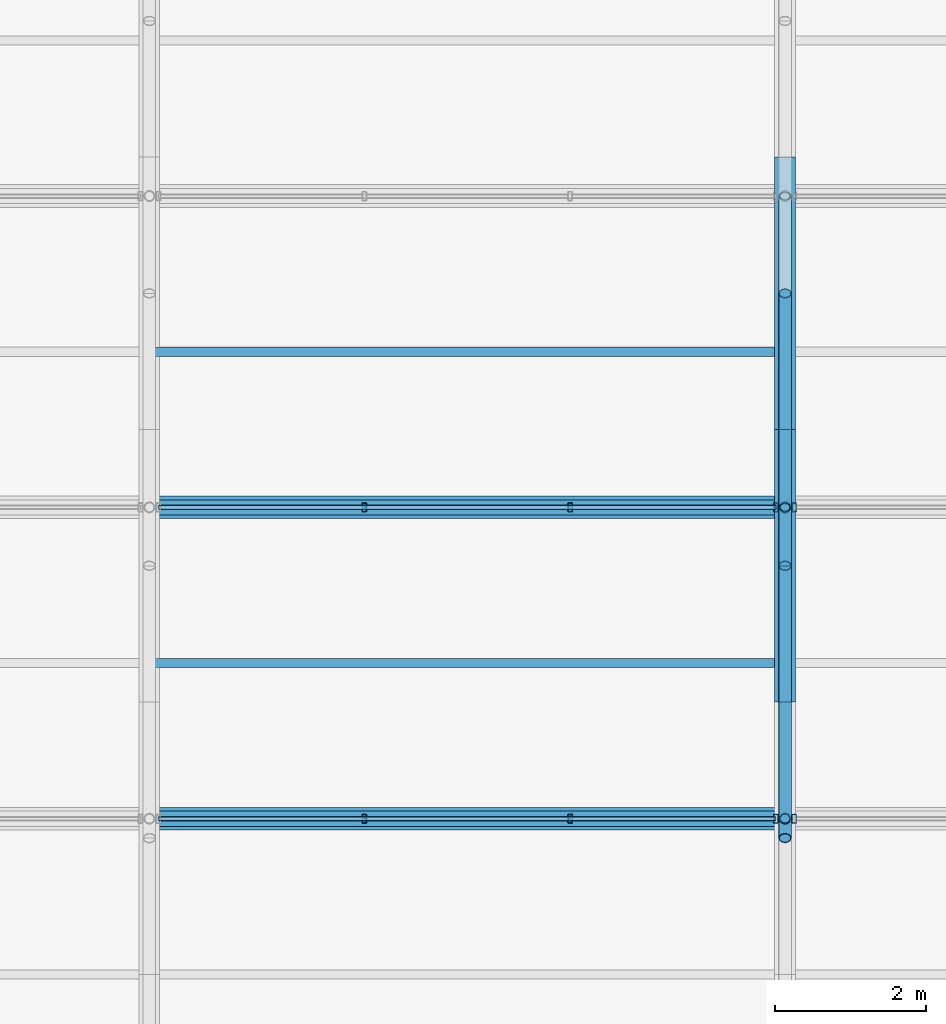
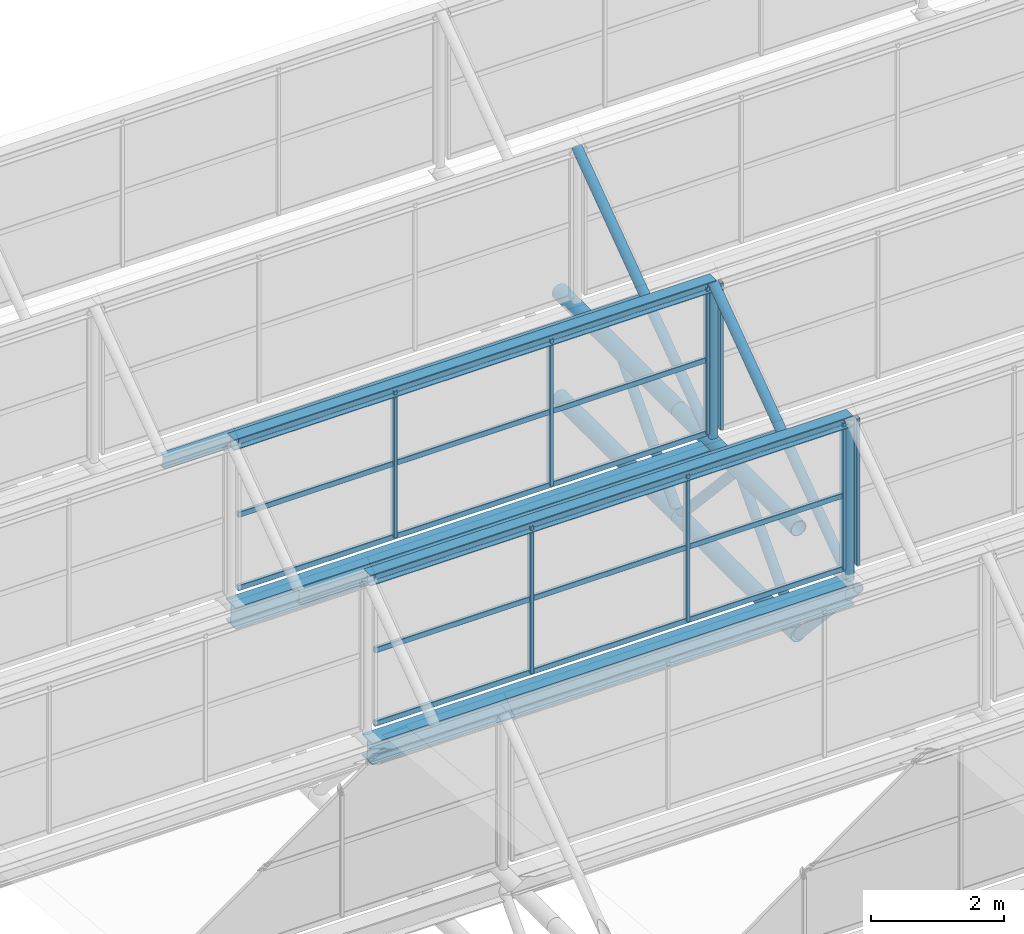
# One storey, part 65 of 134: 26 members, 6 beams, 4 elements without a shape of their own.
"""IFC4 building model written with IfcOpenShell, lengths in metres."""

from ifc_helpers import new_model, si_unit, derived_unit, direction, frame, origin, origin_2d, place, context, subcontext, project, spatial, hollow_rectangle, hollow_circle, i_section, extrude, material, material_profile, profile_set, type_object, element, aggregate, save


model = new_model("IFC4")

# Units and contexts
model_context = context("Model", 3, precision=1e-05, world=origin(), true_north=direction((0.0, 1.0)))
body_context = subcontext(model_context, "Body", "Model", "MODEL_VIEW")
ifc_project = project(units=[si_unit("LENGTHUNIT", "METRE"), si_unit("AREAUNIT", "SQUARE_METRE"), si_unit("VOLUMEUNIT", "CUBIC_METRE"), si_unit("PLANEANGLEUNIT", "RADIAN"), si_unit("MASSUNIT", "GRAM", prefix="KILO"), derived_unit("THERMALTRANSMITTANCEUNIT", [(si_unit("MASSUNIT", "GRAM", prefix="KILO"), 1), (si_unit("TIMEUNIT", "SECOND"), -3), (si_unit("THERMODYNAMICTEMPERATUREUNIT", "KELVIN"), -1)])], contexts=[model_context])

# Site, building, storey
site_placement = place(None, origin())
site = spatial("IfcSite", under=ifc_project, at=site_placement, CompositionType="ELEMENT")
building_placement = place(site_placement, origin())
building = spatial("IfcBuilding", under=site, at=building_placement, Name="Kharveza Railside Sports Centre", CompositionType="ELEMENT")
storey_placement = place(building_placement, frame((0.0, 0.0, 12.89990234375)))
storey = spatial("IfcBuildingStorey", under=building, at=storey_placement, Name="L03", CompositionType="ELEMENT", Elevation=12.89990234375)

# Beams
ifc_material_1 = material(Name="Steel S355J2", Category="steel")
ifc_material_profile_1 = material_profile(ifc_material_1, i_section(OverallWidth=0.300048828125, OverallDepth=0.39990234375, WebThickness=0.013427734375, FlangeThickness=0.02392578125, FilletRadius=0.027099609375, at=origin_2d()), Name="HEB 400")
ifc_profile_set_1 = profile_set([ifc_material_profile_1], Name="Steel S355J2")
beam_type_1 = type_object("IfcBeamType", Name="BM-G07", PredefinedType="T_BEAM", material=ifc_profile_set_1)
for number, where, z_axis, x_axis, name in (
    (1, (117.60009765625, 95.656982421875, 1.760009765625), (1.0, 0.0, 0.0), (0.0, 1.0, 0.0), "BM-V2SAW-VAL-5-4"),
    (2, (117.60009765625, 99.771484375, 1.760009765625), (1.0, 0.0, 0.0), (0.0, 1.0, 0.0), "BM-V2SAW-VAL-6-4"),
):
    element("IfcBeam", number, at=place(storey_placement, frame(where, z_axis=z_axis, x_axis=x_axis)), inside=storey, type_object=beam_type_1, Name=name, PredefinedType="T_BEAM", context=body_context, shape_type="SweptSolid", body=[
        extrude(i_section(OverallWidth=0.300048828125, OverallDepth=0.39990234375, WebThickness=0.013427734375, FlangeThickness=0.02392578125, FilletRadius=0.027099609375, at=origin_2d()), origin(), (0.0, 0.0, 1.0), 8.39990234375),
    ])
ifc_material_2 = material(Name="Steel S275JR", Category="steel")
ifc_material_profile_2 = material_profile(ifc_material_2, i_section(OverallWidth=0.1201171875, OverallDepth=0.239990234375, WebThickness=0.006103515625, FlangeThickness=0.009765625, FilletRadius=0.014892578125, at=origin_2d()), Name="IPE 240")
ifc_profile_set_2 = profile_set([ifc_material_profile_2], Name="Steel S275JR")
beam_type_2 = type_object("IfcBeamType", Name="BM-J01", PredefinedType="JOIST", material=ifc_profile_set_2)
for number, where, z_axis, x_axis, name in (
    (3, (117.60009765625, 97.714111328125, 3.320068359375), (1.0, 0.0, 0.0), (0.0, 1.0, 0.0), "BM-V2SAW-PUR-5-4"),
    (4, (117.60009765625, 101.82861328125, 3.320068359375), (1.0, 0.0, 0.0), (0.0, 1.0, 0.0), "BM-V2SAW-PUR-6-4"),
):
    element("IfcBeam", number, at=place(storey_placement, frame(where, z_axis=z_axis, x_axis=x_axis)), inside=storey, type_object=beam_type_2, Name=name, PredefinedType="JOIST", context=body_context, shape_type="SweptSolid", body=[
        extrude(i_section(OverallWidth=0.1201171875, OverallDepth=0.239990234375, WebThickness=0.006103515625, FlangeThickness=0.009765625, FilletRadius=0.014892578125, at=origin_2d()), origin(), (0.0, 0.0, 1.0), 8.39990234375),
    ])
ifc_material_profile_3 = material_profile(ifc_material_2, i_section(OverallWidth=0.199951171875, OverallDepth=0.199951171875, WebThickness=0.009033203125, FlangeThickness=0.014892578125, FilletRadius=0.01806640625, at=origin_2d()), Name="HEB 200")
ifc_profile_set_3 = profile_set([ifc_material_profile_3], Name="Steel S275JR")
beam_type_3 = type_object("IfcBeamType", Name="BM-J05", PredefinedType="JOIST", material=ifc_profile_set_3)
for number, where, z_axis, x_axis, name in (
    (5, (117.60009765625, 95.656982421875, 4.920166015625), (1.0, 0.0, 0.0), (0.0, 1.0, 0.0), "BM-V2SAW-RDG-4-4"),
    (6, (117.60009765625, 99.771484375, 4.920166015625), (1.0, 0.0, 0.0), (0.0, 1.0, 0.0), "BM-V2SAW-RDG-5-4"),
):
    element("IfcBeam", number, at=place(storey_placement, frame(where, z_axis=z_axis, x_axis=x_axis)), inside=storey, type_object=beam_type_3, Name=name, PredefinedType="JOIST", context=body_context, shape_type="SweptSolid", body=[
        extrude(i_section(OverallWidth=0.199951171875, OverallDepth=0.199951171875, WebThickness=0.009033203125, FlangeThickness=0.014892578125, FilletRadius=0.01806640625, at=origin_2d()), origin(), (0.0, 0.0, 1.0), 8.39990234375),
    ])

# Curtain wall, members
ifc_material_3 = material(Name="Low-E solar-control laminated glass", Category="glass")
curtain_wall_type = type_object("IfcCurtainWallType", Name="CW-NL02", PredefinedType="NOTDEFINED", material=ifc_material_3)
curtain_wall_1_placement = place(storey_placement, origin())
curtain_wall_1 = element("IfcCurtainWall", 7, at=curtain_wall_1_placement, inside=storey, type_object=curtain_wall_type, Name="CW-V2NL-4-4", PredefinedType="NOTDEFINED")
ifc_material_4 = material(Name="Anodised aluminium 6063-T6", Category="aluminium")
ifc_material_profile_4 = material_profile(ifc_material_4, hollow_rectangle(XDim=0.06005859375, YDim=0.1201171875, WallThickness=0.0048828125, InnerFilletRadius=0.0048828125, OuterFilletRadius=0.010009765625, at=origin_2d()), Name="RHS 60x120x5.0")
ifc_profile_set_4 = profile_set([ifc_material_profile_4], Name="Anodised aluminium 6063-T6")
member_type_1 = type_object("IfcMemberType", Name="CW-ML05", PredefinedType="MULLION", material=ifc_profile_set_4)
member_1_placement = place(storey_placement, frame((120.43994140625, 95.656982421875, 2.2001953125), z_axis=(0.0, 0.0, 1.0), x_axis=(1.0, 0.0, 0.0)))
member_1 = element("IfcMember", 8, at=member_1_placement, type_object=member_type_1, Name="CW-V2NL-4-4-ML2", PredefinedType="MULLION", context=body_context, shape_type="SweptSolid", body=[
    extrude(hollow_rectangle(XDim=0.06005859375, YDim=0.1201171875, WallThickness=0.0048828125, InnerFilletRadius=0.0048828125, OuterFilletRadius=0.010009765625, at=origin_2d()), origin(), (0.0, 0.0, 1.0), 2.699951171875),
])
member_2_placement = place(storey_placement, frame((123.159912109375, 95.656982421875, 2.2001953125), z_axis=(0.0, 0.0, 1.0), x_axis=(1.0, 0.0, 0.0)))
member_2 = element("IfcMember", 9, at=member_2_placement, type_object=member_type_1, Name="CW-V2NL-4-4-ML3", PredefinedType="MULLION", context=body_context, shape_type="SweptSolid", body=[
    extrude(hollow_rectangle(XDim=0.06005859375, YDim=0.1201171875, WallThickness=0.0048828125, InnerFilletRadius=0.0048828125, OuterFilletRadius=0.010009765625, at=origin_2d()), origin(), (0.0, 0.0, 1.0), 2.699951171875),
])
member_3_placement = place(storey_placement, frame((125.8798828125, 95.656982421875, 2.2001953125), z_axis=(0.0, 0.0, 1.0), x_axis=(1.0, 0.0, 0.0)))
member_3 = element("IfcMember", 10, at=member_3_placement, type_object=member_type_1, Name="CW-V2NL-4-4-ML4", PredefinedType="MULLION", context=body_context, shape_type="SweptSolid", body=[
    extrude(hollow_rectangle(XDim=0.06005859375, YDim=0.1201171875, WallThickness=0.0048828125, InnerFilletRadius=0.0048828125, OuterFilletRadius=0.010009765625, at=origin_2d()), origin(), (0.0, 0.0, 1.0), 2.699951171875),
])

# Curtain wall, member
curtain_wall_2_placement = place(storey_placement, origin())
curtain_wall_2 = element("IfcCurtainWall", 11, at=curtain_wall_2_placement, inside=storey, type_object=curtain_wall_type, Name="CW-V2NL-4-5", PredefinedType="NOTDEFINED")
member_4_placement = place(storey_placement, frame((126.1201171875, 95.656982421875, 2.2001953125), z_axis=(0.0, 0.0, 1.0), x_axis=(1.0, 0.0, 0.0)))
member_4 = element("IfcMember", 12, at=member_4_placement, type_object=member_type_1, Name="CW-V2NL-4-5-ML1", PredefinedType="MULLION", context=body_context, shape_type="SweptSolid", body=[
    extrude(hollow_rectangle(XDim=0.06005859375, YDim=0.1201171875, WallThickness=0.0048828125, InnerFilletRadius=0.0048828125, OuterFilletRadius=0.010009765625, at=origin_2d()), origin(), (0.0, 0.0, 1.0), 2.699951171875),
])
aggregate(curtain_wall_2, [member_4])

# Curtain wall, members
curtain_wall_3_placement = place(storey_placement, origin())
curtain_wall_3 = element("IfcCurtainWall", 13, at=curtain_wall_3_placement, inside=storey, type_object=curtain_wall_type, Name="CW-V2NL-5-4", PredefinedType="NOTDEFINED")
member_5_placement = place(storey_placement, frame((120.43994140625, 99.771484375, 2.2001953125), z_axis=(0.0, 0.0, 1.0), x_axis=(1.0, 0.0, 0.0)))
member_5 = element("IfcMember", 14, at=member_5_placement, type_object=member_type_1, Name="CW-V2NL-5-4-ML2", PredefinedType="MULLION", context=body_context, shape_type="SweptSolid", body=[
    extrude(hollow_rectangle(XDim=0.06005859375, YDim=0.1201171875, WallThickness=0.0048828125, InnerFilletRadius=0.0048828125, OuterFilletRadius=0.010009765625, at=origin_2d()), origin(), (0.0, 0.0, 1.0), 2.699951171875),
])
member_6_placement = place(storey_placement, frame((123.159912109375, 99.771484375, 2.2001953125), z_axis=(0.0, 0.0, 1.0), x_axis=(1.0, 0.0, 0.0)))
member_6 = element("IfcMember", 15, at=member_6_placement, type_object=member_type_1, Name="CW-V2NL-5-4-ML3", PredefinedType="MULLION", context=body_context, shape_type="SweptSolid", body=[
    extrude(hollow_rectangle(XDim=0.06005859375, YDim=0.1201171875, WallThickness=0.0048828125, InnerFilletRadius=0.0048828125, OuterFilletRadius=0.010009765625, at=origin_2d()), origin(), (0.0, 0.0, 1.0), 2.699951171875),
])
member_7_placement = place(storey_placement, frame((125.8798828125, 99.771484375, 2.2001953125), z_axis=(0.0, 0.0, 1.0), x_axis=(1.0, 0.0, 0.0)))
member_7 = element("IfcMember", 16, at=member_7_placement, type_object=member_type_1, Name="CW-V2NL-5-4-ML4", PredefinedType="MULLION", context=body_context, shape_type="SweptSolid", body=[
    extrude(hollow_rectangle(XDim=0.06005859375, YDim=0.1201171875, WallThickness=0.0048828125, InnerFilletRadius=0.0048828125, OuterFilletRadius=0.010009765625, at=origin_2d()), origin(), (0.0, 0.0, 1.0), 2.699951171875),
])

# Curtain wall, member
curtain_wall_4_placement = place(storey_placement, origin())
curtain_wall_4 = element("IfcCurtainWall", 17, at=curtain_wall_4_placement, inside=storey, type_object=curtain_wall_type, Name="CW-V2NL-5-5", PredefinedType="NOTDEFINED")
member_8_placement = place(storey_placement, frame((126.1201171875, 99.771484375, 2.2001953125), z_axis=(0.0, 0.0, 1.0), x_axis=(1.0, 0.0, 0.0)))
member_8 = element("IfcMember", 18, at=member_8_placement, type_object=member_type_1, Name="CW-V2NL-5-5-ML1", PredefinedType="MULLION", context=body_context, shape_type="SweptSolid", body=[
    extrude(hollow_rectangle(XDim=0.06005859375, YDim=0.1201171875, WallThickness=0.0048828125, InnerFilletRadius=0.0048828125, OuterFilletRadius=0.010009765625, at=origin_2d()), origin(), (0.0, 0.0, 1.0), 2.699951171875),
])
aggregate(curtain_wall_4, [member_8])

# Member
ifc_material_profile_5 = material_profile(ifc_material_4, hollow_rectangle(XDim=0.06005859375, YDim=0.10009765625, WallThickness=0.00390625, InnerFilletRadius=0.00390625, OuterFilletRadius=0.008056640625, at=origin_2d()), Name="RHS 60x100x4.0")
ifc_profile_set_5 = profile_set([ifc_material_profile_5], Name="Anodised aluminium 6063-T6")
member_type_2 = type_object("IfcMemberType", Name="CW-TR05", PredefinedType="USERDEFINED", material=ifc_profile_set_5)
member_9_placement = place(storey_placement, frame((117.719970703125, 95.656982421875, 2.2001953125), z_axis=(1.0, 0.0, 0.0), x_axis=(0.0, 1.0, 0.0)))
member_9 = element("IfcMember", 19, at=member_9_placement, type_object=member_type_2, Name="CW-V2NL-4-4-TR1", ObjectType="TRANSOM", PredefinedType="USERDEFINED", context=body_context, shape_type="SweptSolid", body=[
    extrude(hollow_rectangle(XDim=0.06005859375, YDim=0.10009765625, WallThickness=0.00390625, InnerFilletRadius=0.00390625, OuterFilletRadius=0.008056640625, at=origin_2d()), origin(), (0.0, 0.0, 1.0), 8.159912109375),
])

member_10_placement = place(storey_placement, frame((117.719970703125, 95.656982421875, 3.550048828125), z_axis=(1.0, 0.0, 0.0), x_axis=(0.0, 1.0, 0.0)))
member_10 = element("IfcMember", 20, at=member_10_placement, type_object=member_type_2, Name="CW-V2NL-4-4-TR2", ObjectType="TRANSOM", PredefinedType="USERDEFINED", context=body_context, shape_type="SweptSolid", body=[
    extrude(hollow_rectangle(XDim=0.06005859375, YDim=0.10009765625, WallThickness=0.00390625, InnerFilletRadius=0.00390625, OuterFilletRadius=0.008056640625, at=origin_2d()), origin(), (0.0, 0.0, 1.0), 8.159912109375),
])

member_11_placement = place(storey_placement, frame((117.719970703125, 95.656982421875, 4.900146484375), z_axis=(1.0, 0.0, 0.0), x_axis=(0.0, 1.0, 0.0)))
member_11 = element("IfcMember", 21, at=member_11_placement, type_object=member_type_2, Name="CW-V2NL-4-4-TR3", ObjectType="TRANSOM", PredefinedType="USERDEFINED", context=body_context, shape_type="SweptSolid", body=[
    extrude(hollow_rectangle(XDim=0.06005859375, YDim=0.10009765625, WallThickness=0.00390625, InnerFilletRadius=0.00390625, OuterFilletRadius=0.008056640625, at=origin_2d()), origin(), (0.0, 0.0, 1.0), 8.159912109375),
])

aggregate(curtain_wall_1, [member_1, member_2, member_3, member_9, member_10, member_11])

member_12_placement = place(storey_placement, frame((117.719970703125, 99.771484375, 2.2001953125), z_axis=(1.0, 0.0, 0.0), x_axis=(0.0, 1.0, 0.0)))
member_12 = element("IfcMember", 22, at=member_12_placement, type_object=member_type_2, Name="CW-V2NL-5-4-TR1", ObjectType="TRANSOM", PredefinedType="USERDEFINED", context=body_context, shape_type="SweptSolid", body=[
    extrude(hollow_rectangle(XDim=0.06005859375, YDim=0.10009765625, WallThickness=0.00390625, InnerFilletRadius=0.00390625, OuterFilletRadius=0.008056640625, at=origin_2d()), origin(), (0.0, 0.0, 1.0), 8.159912109375),
])

member_13_placement = place(storey_placement, frame((117.719970703125, 99.771484375, 3.550048828125), z_axis=(1.0, 0.0, 0.0), x_axis=(0.0, 1.0, 0.0)))
member_13 = element("IfcMember", 23, at=member_13_placement, type_object=member_type_2, Name="CW-V2NL-5-4-TR2", ObjectType="TRANSOM", PredefinedType="USERDEFINED", context=body_context, shape_type="SweptSolid", body=[
    extrude(hollow_rectangle(XDim=0.06005859375, YDim=0.10009765625, WallThickness=0.00390625, InnerFilletRadius=0.00390625, OuterFilletRadius=0.008056640625, at=origin_2d()), origin(), (0.0, 0.0, 1.0), 8.159912109375),
])

member_14_placement = place(storey_placement, frame((117.719970703125, 99.771484375, 4.900146484375), z_axis=(1.0, 0.0, 0.0), x_axis=(0.0, 1.0, 0.0)))
member_14 = element("IfcMember", 24, at=member_14_placement, type_object=member_type_2, Name="CW-V2NL-5-4-TR3", ObjectType="TRANSOM", PredefinedType="USERDEFINED", context=body_context, shape_type="SweptSolid", body=[
    extrude(hollow_rectangle(XDim=0.06005859375, YDim=0.10009765625, WallThickness=0.00390625, InnerFilletRadius=0.00390625, OuterFilletRadius=0.008056640625, at=origin_2d()), origin(), (0.0, 0.0, 1.0), 8.159912109375),
])

aggregate(curtain_wall_3, [member_5, member_6, member_7, member_12, member_13, member_14])

# Members
ifc_material_profile_6 = material_profile(ifc_material_1, hollow_circle(Radius=0.136474609375, WallThickness=0.01416015625, at=origin_2d()), Name="CHS 273.0x14.2")
ifc_profile_set_6 = profile_set([ifc_material_profile_6], Name="Steel S355J2")
member_type_3 = type_object("IfcMemberType", Name="MB-CH03", PredefinedType="CHORD", material=ifc_profile_set_6)
for number, where, z_axis, x_axis, name in (
    (25, (126.0, 97.199951171875, 0.0), (0.0, 1.0, 0.0), (-1.0, 0.0, 0.0), "MB-V2TR-BC-5-6"),
    (26, (126.0, 97.199951171875, 1.9501953125), (0.0, 1.0, 0.0), (-1.0, 0.0, 0.0), "MB-V2TR-TC-5-6"),
):
    element("IfcMember", number, at=place(storey_placement, frame(where, z_axis=z_axis, x_axis=x_axis)), inside=storey, type_object=member_type_3, Name=name, PredefinedType="CHORD", context=body_context, shape_type="SweptSolid", body=[
        extrude(hollow_circle(Radius=0.136474609375, WallThickness=0.01416015625, at=origin_2d()), origin(), (0.0, 0.0, 1.0), 3.60009765625),
    ])
for number, where, z_axis, x_axis, name in (
    (27, (126.0, 100.800048828125, 0.0), (0.0, 1.0, 0.0), (-1.0, 0.0, 0.0), "MB-V2TR-BC-5-7"),
    (28, (126.0, 100.800048828125, 1.9501953125), (0.0, 1.0, 0.0), (-1.0, 0.0, 0.0), "MB-V2TR-TC-5-7"),
):
    element("IfcMember", number, at=place(storey_placement, frame(where, z_axis=z_axis, x_axis=x_axis)), inside=storey, type_object=member_type_3, Name=name, PredefinedType="CHORD", context=body_context, shape_type="SweptSolid", body=[
        extrude(hollow_circle(Radius=0.136474609375, WallThickness=0.01416015625, at=origin_2d()), origin(), (0.0, 0.0, 1.0), 3.599853515625),
    ])
ifc_material_profile_7 = material_profile(ifc_material_1, hollow_circle(Radius=0.084228515625, WallThickness=0.010009765625, at=origin_2d()), Name="CHS 168.3x10.0")
ifc_profile_set_7 = profile_set([ifc_material_profile_7], Name="Steel S355J2")
member_type_4 = type_object("IfcMemberType", Name="MB-ST03", PredefinedType="STRUT", material=ifc_profile_set_7)
for number, where, z_axis, x_axis, name in (
    (29, (126.0, 95.39990234375, 1.9501953125), (0.0, 0.67825335715, -0.734828131956), (-1.0, 0.0, 0.0), "MB-V2TR-D2-5-5"),
    (30, (126.0, 97.199951171875, 0.0), (0.0, 0.67825335715, 0.734828131956), (-1.0, 0.0, 0.0), "MB-V2TR-D1-5-6"),
    (31, (126.0, 99.0, 1.9501953125), (0.0, 0.67825335715, -0.734828131956), (-1.0, 0.0, 0.0), "MB-V2TR-D2-5-6"),
    (32, (126.0, 100.800048828125, 0.0), (0.0, 0.67825335715, 0.734828131956), (-1.0, 0.0, 0.0), "MB-V2TR-D1-5-7"),
):
    element("IfcMember", number, at=place(storey_placement, frame(where, z_axis=z_axis, x_axis=x_axis)), inside=storey, type_object=member_type_4, Name=name, PredefinedType="STRUT", context=body_context, shape_type="SweptSolid", body=[
        extrude(hollow_circle(Radius=0.084228515625, WallThickness=0.010009765625, at=origin_2d()), origin(), (0.0, 0.0, 1.0), 2.654052734375),
    ])
member_15_placement = place(storey_placement, frame((126.0, 95.656982421875, 1.9501953125), z_axis=(0.0, 0.810830173333, 0.585281496386), x_axis=(-1.0, 0.0, 0.0)))
element("IfcMember", 33, at=member_15_placement, inside=storey, type_object=member_type_4, Name="MB-V2SAW-RFT-5-5", PredefinedType="STRUT", context=body_context, shape_type="SweptSolid", body=[
    extrude(hollow_circle(Radius=0.084228515625, WallThickness=0.010009765625, at=origin_2d()), origin(), (0.0, 0.0, 1.0), 5.074462890625),
])
member_16_placement = place(storey_placement, frame((126.0, 99.771484375, 1.9501953125), z_axis=(0.0, 0.810813691418, 0.585304329225), x_axis=(-1.0, 0.0, 0.0)))
element("IfcMember", 34, at=member_16_placement, inside=storey, type_object=member_type_4, Name="MB-V2SAW-RFT-6-5", PredefinedType="STRUT", context=body_context, shape_type="SweptSolid", body=[
    extrude(hollow_circle(Radius=0.084228515625, WallThickness=0.010009765625, at=origin_2d()), origin(), (0.0, 0.0, 1.0), 5.07421875),
])
ifc_material_profile_8 = material_profile(ifc_material_1, hollow_circle(Radius=0.06982421875, WallThickness=0.008056640625, at=origin_2d()), Name="CHS 139.7x8.0")
ifc_profile_set_8 = profile_set([ifc_material_profile_8], Name="Steel S355J2")
member_type_5 = type_object("IfcMemberType", Name="MB-ST04", PredefinedType="STRUT", material=ifc_profile_set_8)
for number, where, z_axis, x_axis, name in (
    (35, (126.0, 95.656982421875, 1.9501953125), (0.0, 0.0, 1.0), (1.0, 0.0, 0.0), "MB-V2SAW-PST-4-5"),
    (36, (126.0, 99.771484375, 1.9501953125), (0.0, 0.0, 1.0), (1.0, 0.0, 0.0), "MB-V2SAW-PST-5-5"),
):
    element("IfcMember", number, at=place(storey_placement, frame(where, z_axis=z_axis, x_axis=x_axis)), inside=storey, type_object=member_type_5, Name=name, PredefinedType="STRUT", context=body_context, shape_type="SweptSolid", body=[
        extrude(hollow_circle(Radius=0.06982421875, WallThickness=0.008056640625, at=origin_2d()), origin(), (0.0, 0.0, 1.0), 2.969970703125),
    ])

save(model, "model.ifc")
